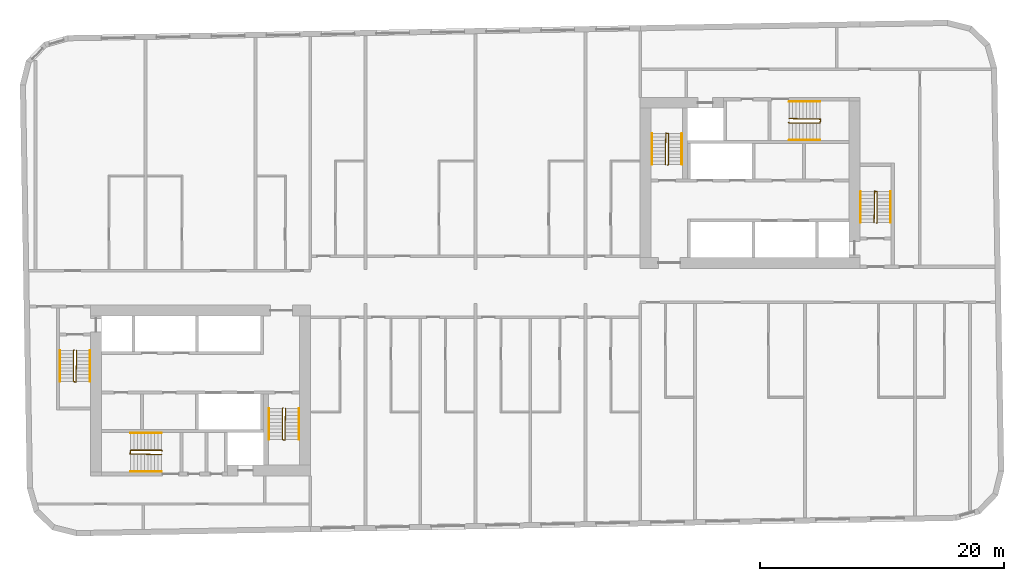
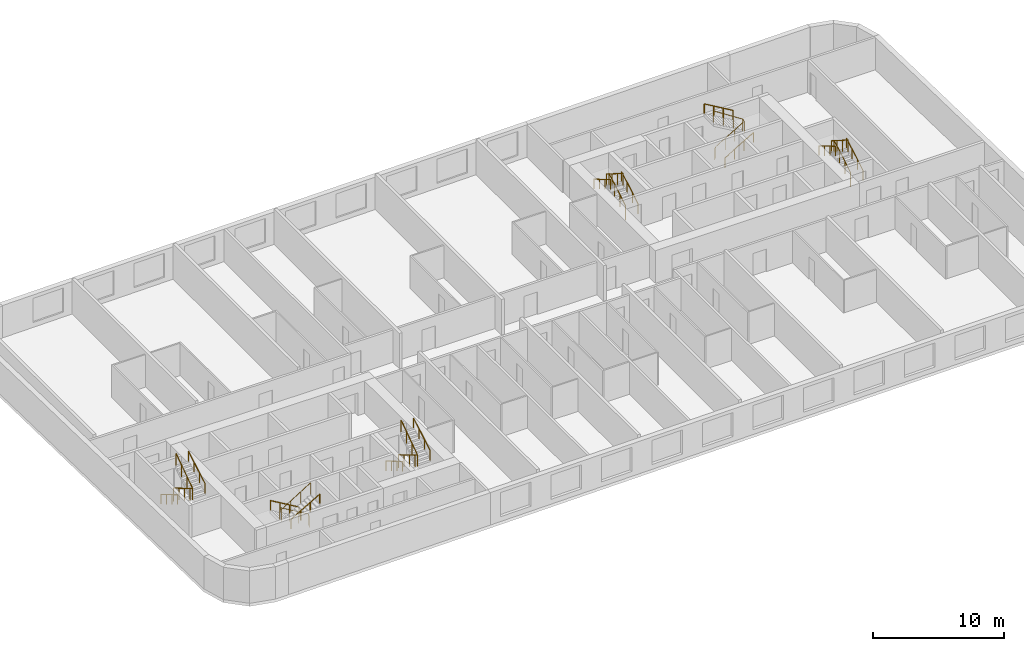
# One storey, part 11 of 11: 18 railings.
"""IFC4 building model written with IfcOpenShell, lengths in metres."""

from ifc_helpers import new_model, si_unit, direction, frame, origin, origin_2d, place, context, subcontext, project, spatial, circle, extrude, material, type_object, element, save


model = new_model("IFC4")

# Units and contexts
model_context = context("Model", 3, precision=1e-05, world=origin(), true_north=direction((0.0, 1.0)))
body_context = subcontext(model_context, "Body", "Model", "MODEL_VIEW")
ifc_project = project(units=[si_unit("LENGTHUNIT", "METRE"), si_unit("AREAUNIT", "SQUARE_METRE"), si_unit("VOLUMEUNIT", "CUBIC_METRE"), si_unit("PLANEANGLEUNIT", "RADIAN"), si_unit("MASSUNIT", "GRAM", prefix="KILO")], contexts=[model_context])

# Site, building, storey
site_placement = place(None, origin())
site = spatial("IfcSite", under=ifc_project, at=site_placement, CompositionType="ELEMENT")
building_placement = place(site_placement, origin())
building = spatial("IfcBuilding", under=site, at=building_placement, Name="Kajstack Hotel Tower", CompositionType="ELEMENT")
storey_placement = place(building_placement, frame((0.0, 0.0, 244.10009765625)))
storey = spatial("IfcBuildingStorey", under=building, at=storey_placement, Name="L60", CompositionType="ELEMENT", Elevation=244.10009765625)

# Railings
ifc_material = material(Name="Steel S355J2", Category="steel")
railing_type_1 = type_object("IfcRailingType", Name="Stair guard 1100", PredefinedType="GUARDRAIL", material=ifc_material)
railing_1_placement = place(storey_placement, frame((-32.85009765625, -5.199951171875, 0.0)))
element("IfcRailing", 1, at=railing_1_placement, inside=storey, type_object=railing_type_1, Name="L60 W1 stair guard 1", PredefinedType="GUARDRAIL", context=body_context, shape_type="SweptSolid", body=[
    extrude(circle(Radius=0.02392578125, at=origin_2d()), frame((0.0, 0.0, 1.076171875), z_axis=(-0.277797701265, -0.279159454702, 0.919183570361), x_axis=(0.708833529934, -0.705375805398, 0.0)), (0.0, 0.0, 1.0), 0.17919921875),
    extrude(circle(Radius=0.02392578125, at=origin_2d()), frame((-0.0498046875, -0.050048828125, 1.24072265625), z_axis=(0.0, -0.86152411907, 0.507716645641), x_axis=(1.0, 0.0, 0.0)), (0.0, 0.0, 1.0), 2.925048828125),
    extrude(circle(Radius=0.02392578125, at=origin_2d()), frame((-0.0498046875, -2.570068359375, 2.72607421875), z_axis=(0.970072785993, -0.242814311512, 0.0), x_axis=(0.242814311512, 0.970072785993, 0.0)), (0.0, 0.0, 1.0), 0.2060546875),
    extrude(circle(Radius=0.02392578125, at=origin_2d()), frame((0.150146484375, -2.6201171875, 2.72607421875), z_axis=(0.016385308676, 0.841405582595, 0.540155687962), x_axis=(-0.999810440751, 0.019470042781, 0.0)), (0.0, 0.0, 1.0), 3.054443359375),
    extrude(circle(Radius=0.02099609375, at=origin_2d()), origin(), (0.0, 0.0, 1.0), 1.052001953125),
    extrude(circle(Radius=0.02099609375, at=origin_2d()), frame((-0.0498046875, -0.050048828125, 0.164794921875)), (0.0, 0.0, 1.0), 1.052001953125),
    extrude(circle(Radius=0.02099609375, at=origin_2d()), frame((-0.0498046875, -0.89013671875, 0.659912109375)), (0.0, 0.0, 1.0), 1.052001953125),
    extrude(circle(Radius=0.02099609375, at=origin_2d()), frame((-0.0498046875, -1.72998046875, 1.15478515625)), (0.0, 0.0, 1.0), 1.052001953125),
    extrude(circle(Radius=0.02099609375, at=origin_2d()), frame((-0.0498046875, -2.570068359375, 1.64990234375)), (0.0, 0.0, 1.0), 1.052001953125),
    extrude(circle(Radius=0.02099609375, at=origin_2d()), frame((0.150146484375, -2.6201171875, 1.64990234375)), (0.0, 0.0, 1.0), 1.052001953125),
    extrude(circle(Radius=0.02099609375, at=origin_2d()), frame((0.166748046875, -1.763427734375, 2.199951171875)), (0.0, 0.0, 1.0), 1.052001953125),
    extrude(circle(Radius=0.02099609375, at=origin_2d()), frame((0.18359375, -0.90673828125, 2.749755859375)), (0.0, 0.0, 1.0), 1.052001953125),
    extrude(circle(Radius=0.02099609375, at=origin_2d()), frame((0.2001953125, -0.050048828125, 3.2998046875)), (0.0, 0.0, 1.0), 1.052001953125),
])
railing_2_placement = place(storey_placement, frame((-15.75, -9.949951171875, 0.0)))
element("IfcRailing", 2, at=railing_2_placement, inside=storey, type_object=railing_type_1, Name="L60 W2 stair guard 1", PredefinedType="GUARDRAIL", context=body_context, shape_type="SweptSolid", body=[
    extrude(circle(Radius=0.02392578125, at=origin_2d()), frame((0.0, 0.0, 1.076171875), z_axis=(-0.279053652268, -0.279053652268, 0.918835196492), x_axis=(0.707106781187, -0.707106781187, 0.0)), (0.0, 0.0, 1.0), 0.179443359375),
    extrude(circle(Radius=0.02392578125, at=origin_2d()), frame((-0.050048828125, -0.050048828125, 1.24072265625), z_axis=(0.0, -0.86152411907, 0.507716645641), x_axis=(1.0, 0.0, 0.0)), (0.0, 0.0, 1.0), 2.925048828125),
    extrude(circle(Radius=0.02392578125, at=origin_2d()), frame((-0.050048828125, -2.570068359375, 2.72607421875), z_axis=(0.970072785993, -0.242814311512, 0.0), x_axis=(0.242814311512, 0.970072785993, 0.0)), (0.0, 0.0, 1.0), 0.2060546875),
    extrude(circle(Radius=0.02392578125, at=origin_2d()), frame((0.14990234375, -2.6201171875, 2.72607421875), z_axis=(0.016385308676, 0.841405582595, 0.540155687962), x_axis=(-0.999810440751, 0.019470042781, 0.0)), (0.0, 0.0, 1.0), 3.054443359375),
    extrude(circle(Radius=0.02099609375, at=origin_2d()), origin(), (0.0, 0.0, 1.0), 1.052001953125),
    extrude(circle(Radius=0.02099609375, at=origin_2d()), frame((-0.050048828125, -0.050048828125, 0.164794921875)), (0.0, 0.0, 1.0), 1.052001953125),
    extrude(circle(Radius=0.02099609375, at=origin_2d()), frame((-0.050048828125, -0.89013671875, 0.659912109375)), (0.0, 0.0, 1.0), 1.052001953125),
    extrude(circle(Radius=0.02099609375, at=origin_2d()), frame((-0.050048828125, -1.72998046875, 1.15478515625)), (0.0, 0.0, 1.0), 1.052001953125),
    extrude(circle(Radius=0.02099609375, at=origin_2d()), frame((-0.050048828125, -2.570068359375, 1.64990234375)), (0.0, 0.0, 1.0), 1.052001953125),
    extrude(circle(Radius=0.02099609375, at=origin_2d()), frame((0.14990234375, -2.6201171875, 1.64990234375)), (0.0, 0.0, 1.0), 1.052001953125),
    extrude(circle(Radius=0.02099609375, at=origin_2d()), frame((0.16650390625, -1.763427734375, 2.199951171875)), (0.0, 0.0, 1.0), 1.052001953125),
    extrude(circle(Radius=0.02099609375, at=origin_2d()), frame((0.183349609375, -0.90673828125, 2.749755859375)), (0.0, 0.0, 1.0), 1.052001953125),
    extrude(circle(Radius=0.02099609375, at=origin_2d()), frame((0.199951171875, -0.050048828125, 3.2998046875)), (0.0, 0.0, 1.0), 1.052001953125),
])
railing_3_placement = place(storey_placement, frame((-25.64990234375, -13.449951171875, 0.0)))
element("IfcRailing", 3, at=railing_3_placement, inside=storey, type_object=railing_type_1, Name="L60 W3 stair guard 1", PredefinedType="GUARDRAIL", context=body_context, shape_type="SweptSolid", body=[
    extrude(circle(Radius=0.02392578125, at=origin_2d()), frame((0.0, 0.0, 1.076171875), z_axis=(-0.279053652268, 0.279053652268, 0.918835196492), x_axis=(-0.707106781187, -0.707106781187, 0.0)), (0.0, 0.0, 1.0), 0.179443359375),
    extrude(circle(Radius=0.02392578125, at=origin_2d()), frame((-0.050048828125, 0.050048828125, 1.24072265625), z_axis=(-0.86152411907, 0.0, 0.507716645641), x_axis=(0.0, -1.0, 0.0)), (0.0, 0.0, 1.0), 2.925048828125),
    extrude(circle(Radius=0.02392578125, at=origin_2d()), frame((-2.570068359375, 0.050048828125, 2.72607421875), z_axis=(-0.164529134168, -0.986372223864, 0.0), x_axis=(0.986372223864, -0.164529134168, 0.0)), (0.0, 0.0, 1.0), 0.30419921875),
    extrude(circle(Radius=0.02392578125, at=origin_2d()), frame((-2.6201171875, -0.25, 2.72607421875), z_axis=(0.841405582595, -0.016385308676, 0.540155687962), x_axis=(0.019470042781, 0.999810440751, 0.0)), (0.0, 0.0, 1.0), 3.054443359375),
    extrude(circle(Radius=0.02099609375, at=origin_2d()), origin(), (0.0, 0.0, 1.0), 1.052001953125),
    extrude(circle(Radius=0.02099609375, at=origin_2d()), frame((-0.050048828125, 0.050048828125, 0.164794921875)), (0.0, 0.0, 1.0), 1.052001953125),
    extrude(circle(Radius=0.02099609375, at=origin_2d()), frame((-0.89013671875, 0.050048828125, 0.659912109375)), (0.0, 0.0, 1.0), 1.052001953125),
    extrude(circle(Radius=0.02099609375, at=origin_2d()), frame((-1.72998046875, 0.050048828125, 1.15478515625)), (0.0, 0.0, 1.0), 1.052001953125),
    extrude(circle(Radius=0.02099609375, at=origin_2d()), frame((-2.570068359375, 0.050048828125, 1.64990234375)), (0.0, 0.0, 1.0), 1.052001953125),
    extrude(circle(Radius=0.02099609375, at=origin_2d()), frame((-2.6201171875, -0.25, 1.64990234375)), (0.0, 0.0, 1.0), 1.052001953125),
    extrude(circle(Radius=0.02099609375, at=origin_2d()), frame((-1.763427734375, -0.2666015625, 2.199951171875)), (0.0, 0.0, 1.0), 1.052001953125),
    extrude(circle(Radius=0.02099609375, at=origin_2d()), frame((-0.90673828125, -0.283447265625, 2.749755859375)), (0.0, 0.0, 1.0), 1.052001953125),
    extrude(circle(Radius=0.02099609375, at=origin_2d()), frame((-0.050048828125, -0.300048828125, 3.2998046875)), (0.0, 0.0, 1.0), 1.052001953125),
])
railing_4_placement = place(storey_placement, frame((32.85009765625, 5.199951171875, 0.0)))
element("IfcRailing", 4, at=railing_4_placement, inside=storey, type_object=railing_type_1, Name="L60 E1 stair guard 1", PredefinedType="GUARDRAIL", context=body_context, shape_type="SweptSolid", body=[
    extrude(circle(Radius=0.02392578125, at=origin_2d()), frame((0.0, 0.0, 1.076171875), z_axis=(0.277797701265, 0.279159454702, 0.919183570361), x_axis=(-0.708833529934, 0.705375805398, 0.0)), (0.0, 0.0, 1.0), 0.17919921875),
    extrude(circle(Radius=0.02392578125, at=origin_2d()), frame((0.0498046875, 0.050048828125, 1.24072265625), z_axis=(0.0, 0.86152411907, 0.507716645641), x_axis=(-1.0, 0.0, 0.0)), (0.0, 0.0, 1.0), 2.925048828125),
    extrude(circle(Radius=0.02392578125, at=origin_2d()), frame((0.0498046875, 2.570068359375, 2.72607421875), z_axis=(-0.970072785993, 0.242814311512, 0.0), x_axis=(-0.242814311512, -0.970072785993, 0.0)), (0.0, 0.0, 1.0), 0.2060546875),
    extrude(circle(Radius=0.02392578125, at=origin_2d()), frame((-0.150146484375, 2.6201171875, 2.72607421875), z_axis=(-0.016385308676, -0.841405582595, 0.540155687962), x_axis=(0.999810440751, -0.019470042781, 0.0)), (0.0, 0.0, 1.0), 3.054443359375),
    extrude(circle(Radius=0.02099609375, at=origin_2d()), origin(), (0.0, 0.0, 1.0), 1.052001953125),
    extrude(circle(Radius=0.02099609375, at=origin_2d()), frame((0.0498046875, 0.050048828125, 0.164794921875)), (0.0, 0.0, 1.0), 1.052001953125),
    extrude(circle(Radius=0.02099609375, at=origin_2d()), frame((0.0498046875, 0.89013671875, 0.659912109375)), (0.0, 0.0, 1.0), 1.052001953125),
    extrude(circle(Radius=0.02099609375, at=origin_2d()), frame((0.0498046875, 1.72998046875, 1.15478515625)), (0.0, 0.0, 1.0), 1.052001953125),
    extrude(circle(Radius=0.02099609375, at=origin_2d()), frame((0.0498046875, 2.570068359375, 1.64990234375)), (0.0, 0.0, 1.0), 1.052001953125),
    extrude(circle(Radius=0.02099609375, at=origin_2d()), frame((-0.150146484375, 2.6201171875, 1.64990234375)), (0.0, 0.0, 1.0), 1.052001953125),
    extrude(circle(Radius=0.02099609375, at=origin_2d()), frame((-0.166748046875, 1.763427734375, 2.199951171875)), (0.0, 0.0, 1.0), 1.052001953125),
    extrude(circle(Radius=0.02099609375, at=origin_2d()), frame((-0.18359375, 0.90673828125, 2.749755859375)), (0.0, 0.0, 1.0), 1.052001953125),
    extrude(circle(Radius=0.02099609375, at=origin_2d()), frame((-0.2001953125, 0.050048828125, 3.2998046875)), (0.0, 0.0, 1.0), 1.052001953125),
])
railing_5_placement = place(storey_placement, frame((15.75, 9.949951171875, 0.0)))
element("IfcRailing", 5, at=railing_5_placement, inside=storey, type_object=railing_type_1, Name="L60 E2 stair guard 1", PredefinedType="GUARDRAIL", context=body_context, shape_type="SweptSolid", body=[
    extrude(circle(Radius=0.02392578125, at=origin_2d()), frame((0.0, 0.0, 1.076171875), z_axis=(0.279053652268, 0.279053652268, 0.918835196492), x_axis=(-0.707106781187, 0.707106781187, 0.0)), (0.0, 0.0, 1.0), 0.179443359375),
    extrude(circle(Radius=0.02392578125, at=origin_2d()), frame((0.050048828125, 0.050048828125, 1.24072265625), z_axis=(0.0, 0.86152411907, 0.507716645641), x_axis=(-1.0, 0.0, 0.0)), (0.0, 0.0, 1.0), 2.925048828125),
    extrude(circle(Radius=0.02392578125, at=origin_2d()), frame((0.050048828125, 2.570068359375, 2.72607421875), z_axis=(-0.970072785993, 0.242814311512, 0.0), x_axis=(-0.242814311512, -0.970072785993, 0.0)), (0.0, 0.0, 1.0), 0.2060546875),
    extrude(circle(Radius=0.02392578125, at=origin_2d()), frame((-0.14990234375, 2.6201171875, 2.72607421875), z_axis=(-0.016385308676, -0.841405582595, 0.540155687962), x_axis=(0.999810440751, -0.019470042781, 0.0)), (0.0, 0.0, 1.0), 3.054443359375),
    extrude(circle(Radius=0.02099609375, at=origin_2d()), origin(), (0.0, 0.0, 1.0), 1.052001953125),
    extrude(circle(Radius=0.02099609375, at=origin_2d()), frame((0.050048828125, 0.050048828125, 0.164794921875)), (0.0, 0.0, 1.0), 1.052001953125),
    extrude(circle(Radius=0.02099609375, at=origin_2d()), frame((0.050048828125, 0.89013671875, 0.659912109375)), (0.0, 0.0, 1.0), 1.052001953125),
    extrude(circle(Radius=0.02099609375, at=origin_2d()), frame((0.050048828125, 1.72998046875, 1.15478515625)), (0.0, 0.0, 1.0), 1.052001953125),
    extrude(circle(Radius=0.02099609375, at=origin_2d()), frame((0.050048828125, 2.570068359375, 1.64990234375)), (0.0, 0.0, 1.0), 1.052001953125),
    extrude(circle(Radius=0.02099609375, at=origin_2d()), frame((-0.14990234375, 2.6201171875, 1.64990234375)), (0.0, 0.0, 1.0), 1.052001953125),
    extrude(circle(Radius=0.02099609375, at=origin_2d()), frame((-0.16650390625, 1.763427734375, 2.199951171875)), (0.0, 0.0, 1.0), 1.052001953125),
    extrude(circle(Radius=0.02099609375, at=origin_2d()), frame((-0.183349609375, 0.90673828125, 2.749755859375)), (0.0, 0.0, 1.0), 1.052001953125),
    extrude(circle(Radius=0.02099609375, at=origin_2d()), frame((-0.199951171875, 0.050048828125, 3.2998046875)), (0.0, 0.0, 1.0), 1.052001953125),
])
railing_6_placement = place(storey_placement, frame((25.64990234375, 13.449951171875, 0.0)))
element("IfcRailing", 6, at=railing_6_placement, inside=storey, type_object=railing_type_1, Name="L60 E3 stair guard 1", PredefinedType="GUARDRAIL", context=body_context, shape_type="SweptSolid", body=[
    extrude(circle(Radius=0.02392578125, at=origin_2d()), frame((0.0, 0.0, 1.076171875), z_axis=(0.279053652268, -0.279053652268, 0.918835196492), x_axis=(0.707106781187, 0.707106781187, 0.0)), (0.0, 0.0, 1.0), 0.179443359375),
    extrude(circle(Radius=0.02392578125, at=origin_2d()), frame((0.050048828125, -0.050048828125, 1.24072265625), z_axis=(0.86152411907, 0.0, 0.507716645641), x_axis=(0.0, 1.0, 0.0)), (0.0, 0.0, 1.0), 2.925048828125),
    extrude(circle(Radius=0.02392578125, at=origin_2d()), frame((2.570068359375, -0.050048828125, 2.72607421875), z_axis=(0.164529134168, 0.986372223864, 0.0), x_axis=(-0.986372223864, 0.164529134168, 0.0)), (0.0, 0.0, 1.0), 0.30419921875),
    extrude(circle(Radius=0.02392578125, at=origin_2d()), frame((2.6201171875, 0.25, 2.72607421875), z_axis=(-0.841405582595, 0.016385308676, 0.540155687962), x_axis=(-0.019470042781, -0.999810440751, 0.0)), (0.0, 0.0, 1.0), 3.054443359375),
    extrude(circle(Radius=0.02099609375, at=origin_2d()), origin(), (0.0, 0.0, 1.0), 1.052001953125),
    extrude(circle(Radius=0.02099609375, at=origin_2d()), frame((0.050048828125, -0.050048828125, 0.164794921875)), (0.0, 0.0, 1.0), 1.052001953125),
    extrude(circle(Radius=0.02099609375, at=origin_2d()), frame((0.89013671875, -0.050048828125, 0.659912109375)), (0.0, 0.0, 1.0), 1.052001953125),
    extrude(circle(Radius=0.02099609375, at=origin_2d()), frame((1.72998046875, -0.050048828125, 1.15478515625)), (0.0, 0.0, 1.0), 1.052001953125),
    extrude(circle(Radius=0.02099609375, at=origin_2d()), frame((2.570068359375, -0.050048828125, 1.64990234375)), (0.0, 0.0, 1.0), 1.052001953125),
    extrude(circle(Radius=0.02099609375, at=origin_2d()), frame((2.6201171875, 0.25, 1.64990234375)), (0.0, 0.0, 1.0), 1.052001953125),
    extrude(circle(Radius=0.02099609375, at=origin_2d()), frame((1.763427734375, 0.2666015625, 2.199951171875)), (0.0, 0.0, 1.0), 1.052001953125),
    extrude(circle(Radius=0.02099609375, at=origin_2d()), frame((0.90673828125, 0.283447265625, 2.749755859375)), (0.0, 0.0, 1.0), 1.052001953125),
    extrude(circle(Radius=0.02099609375, at=origin_2d()), frame((0.050048828125, 0.300048828125, 3.2998046875)), (0.0, 0.0, 1.0), 1.052001953125),
])
railing_type_2 = type_object("IfcRailingType", Name="Stair handrail 900", PredefinedType="HANDRAIL", material=ifc_material)
railing_7_placement = place(storey_placement, frame((-34.0, -5.25, 0.164794921875)))
element("IfcRailing", 7, at=railing_7_placement, inside=storey, type_object=railing_type_2, Name="L60 W1 stair handrail 1", PredefinedType="HANDRAIL", context=body_context, shape_type="SweptSolid", body=[
    extrude(circle(Radius=0.02392578125, at=origin_2d()), frame((0.0, 0.0, 0.8759765625), z_axis=(0.0, -0.86152411907, 0.507716645641), x_axis=(1.0, 0.0, 0.0)), (0.0, 0.0, 1.0), 2.925048828125),
    extrude(circle(Radius=0.02099609375, at=origin_2d()), origin(), (0.0, 0.0, 1.0), 0.851806640625),
    extrude(circle(Radius=0.02099609375, at=origin_2d()), frame((0.0, -0.840087890625, 0.4951171875)), (0.0, 0.0, 1.0), 0.851806640625),
    extrude(circle(Radius=0.02099609375, at=origin_2d()), frame((0.0, -1.679931640625, 0.989990234375)), (0.0, 0.0, 1.0), 0.851806640625),
    extrude(circle(Radius=0.02099609375, at=origin_2d()), frame((0.0, -2.52001953125, 1.485107421875)), (0.0, 0.0, 1.0), 0.851806640625),
])
railing_8_placement = place(storey_placement, frame((-31.550048828125, -7.77001953125, 1.81494140625)))
element("IfcRailing", 8, at=railing_8_placement, inside=storey, type_object=railing_type_2, Name="L60 W1 stair handrail 2", PredefinedType="HANDRAIL", context=body_context, shape_type="SweptSolid", body=[
    extrude(circle(Radius=0.02392578125, at=origin_2d()), frame((0.0, 0.0, 0.8759765625), z_axis=(0.0, 0.861560626758, 0.507654692109), x_axis=(-1.0, 0.0, 0.0)), (0.0, 0.0, 1.0), 2.925048828125),
    extrude(circle(Radius=0.02099609375, at=origin_2d()), origin(), (0.0, 0.0, 1.0), 0.851806640625),
    extrude(circle(Radius=0.02099609375, at=origin_2d()), frame((0.0, 0.840087890625, 0.494873046875)), (0.0, 0.0, 1.0), 0.851806640625),
    extrude(circle(Radius=0.02099609375, at=origin_2d()), frame((0.0, 1.679931640625, 0.989990234375)), (0.0, 0.0, 1.0), 0.851806640625),
    extrude(circle(Radius=0.02099609375, at=origin_2d()), frame((0.0, 2.52001953125, 1.48486328125)), (0.0, 0.0, 1.0), 0.851806640625),
])
railing_9_placement = place(storey_placement, frame((-16.89990234375, -10.0, 0.164794921875)))
element("IfcRailing", 9, at=railing_9_placement, inside=storey, type_object=railing_type_2, Name="L60 W2 stair handrail 1", PredefinedType="HANDRAIL", context=body_context, shape_type="SweptSolid", body=[
    extrude(circle(Radius=0.02392578125, at=origin_2d()), frame((0.0, 0.0, 0.8759765625), z_axis=(0.0, -0.86152411907, 0.507716645641), x_axis=(1.0, 0.0, 0.0)), (0.0, 0.0, 1.0), 2.925048828125),
    extrude(circle(Radius=0.02099609375, at=origin_2d()), origin(), (0.0, 0.0, 1.0), 0.851806640625),
    extrude(circle(Radius=0.02099609375, at=origin_2d()), frame((0.0, -0.840087890625, 0.4951171875)), (0.0, 0.0, 1.0), 0.851806640625),
    extrude(circle(Radius=0.02099609375, at=origin_2d()), frame((0.0, -1.679931640625, 0.989990234375)), (0.0, 0.0, 1.0), 0.851806640625),
    extrude(circle(Radius=0.02099609375, at=origin_2d()), frame((0.0, -2.52001953125, 1.485107421875)), (0.0, 0.0, 1.0), 0.851806640625),
])
railing_10_placement = place(storey_placement, frame((-14.449951171875, -12.52001953125, 1.81494140625)))
element("IfcRailing", 10, at=railing_10_placement, inside=storey, type_object=railing_type_2, Name="L60 W2 stair handrail 2", PredefinedType="HANDRAIL", context=body_context, shape_type="SweptSolid", body=[
    extrude(circle(Radius=0.02392578125, at=origin_2d()), frame((0.0, 0.0, 0.8759765625), z_axis=(0.0, 0.861560626758, 0.507654692109), x_axis=(-1.0, 0.0, 0.0)), (0.0, 0.0, 1.0), 2.925048828125),
    extrude(circle(Radius=0.02099609375, at=origin_2d()), origin(), (0.0, 0.0, 1.0), 0.851806640625),
    extrude(circle(Radius=0.02099609375, at=origin_2d()), frame((0.0, 0.840087890625, 0.494873046875)), (0.0, 0.0, 1.0), 0.851806640625),
    extrude(circle(Radius=0.02099609375, at=origin_2d()), frame((0.0, 1.679931640625, 0.989990234375)), (0.0, 0.0, 1.0), 0.851806640625),
    extrude(circle(Radius=0.02099609375, at=origin_2d()), frame((0.0, 2.52001953125, 1.48486328125)), (0.0, 0.0, 1.0), 0.851806640625),
])
railing_11_placement = place(storey_placement, frame((-25.699951171875, -12.0, 0.164794921875)))
element("IfcRailing", 11, at=railing_11_placement, inside=storey, type_object=railing_type_2, Name="L60 W3 stair handrail 1", PredefinedType="HANDRAIL", context=body_context, shape_type="SweptSolid", body=[
    extrude(circle(Radius=0.02392578125, at=origin_2d()), frame((0.0, 0.0, 0.8759765625), z_axis=(-0.86152411907, 0.0, 0.507716645641), x_axis=(0.0, -1.0, 0.0)), (0.0, 0.0, 1.0), 2.925048828125),
    extrude(circle(Radius=0.02099609375, at=origin_2d()), origin(), (0.0, 0.0, 1.0), 0.851806640625),
    extrude(circle(Radius=0.02099609375, at=origin_2d()), frame((-0.840087890625, 0.0, 0.4951171875)), (0.0, 0.0, 1.0), 0.851806640625),
    extrude(circle(Radius=0.02099609375, at=origin_2d()), frame((-1.679931640625, 0.0, 0.989990234375)), (0.0, 0.0, 1.0), 0.851806640625),
    extrude(circle(Radius=0.02099609375, at=origin_2d()), frame((-2.52001953125, 0.0, 1.485107421875)), (0.0, 0.0, 1.0), 0.851806640625),
])
railing_12_placement = place(storey_placement, frame((-28.219970703125, -15.14990234375, 1.81494140625)))
element("IfcRailing", 12, at=railing_12_placement, inside=storey, type_object=railing_type_2, Name="L60 W3 stair handrail 2", PredefinedType="HANDRAIL", context=body_context, shape_type="SweptSolid", body=[
    extrude(circle(Radius=0.02392578125, at=origin_2d()), frame((0.0, 0.0, 0.8759765625), z_axis=(0.861560626758, 0.0, 0.507654692109), x_axis=(0.0, 1.0, 0.0)), (0.0, 0.0, 1.0), 2.925048828125),
    extrude(circle(Radius=0.02099609375, at=origin_2d()), origin(), (0.0, 0.0, 1.0), 0.851806640625),
    extrude(circle(Radius=0.02099609375, at=origin_2d()), frame((0.840087890625, 0.0, 0.494873046875)), (0.0, 0.0, 1.0), 0.851806640625),
    extrude(circle(Radius=0.02099609375, at=origin_2d()), frame((1.679931640625, 0.0, 0.989990234375)), (0.0, 0.0, 1.0), 0.851806640625),
    extrude(circle(Radius=0.02099609375, at=origin_2d()), frame((2.52001953125, 0.0, 1.48486328125)), (0.0, 0.0, 1.0), 0.851806640625),
])
railing_13_placement = place(storey_placement, frame((34.0, 5.25, 0.164794921875)))
element("IfcRailing", 13, at=railing_13_placement, inside=storey, type_object=railing_type_2, Name="L60 E1 stair handrail 1", PredefinedType="HANDRAIL", context=body_context, shape_type="SweptSolid", body=[
    extrude(circle(Radius=0.02392578125, at=origin_2d()), frame((0.0, 0.0, 0.8759765625), z_axis=(0.0, 0.86152411907, 0.507716645641), x_axis=(-1.0, 0.0, 0.0)), (0.0, 0.0, 1.0), 2.925048828125),
    extrude(circle(Radius=0.02099609375, at=origin_2d()), origin(), (0.0, 0.0, 1.0), 0.851806640625),
    extrude(circle(Radius=0.02099609375, at=origin_2d()), frame((0.0, 0.840087890625, 0.4951171875)), (0.0, 0.0, 1.0), 0.851806640625),
    extrude(circle(Radius=0.02099609375, at=origin_2d()), frame((0.0, 1.679931640625, 0.989990234375)), (0.0, 0.0, 1.0), 0.851806640625),
    extrude(circle(Radius=0.02099609375, at=origin_2d()), frame((0.0, 2.52001953125, 1.485107421875)), (0.0, 0.0, 1.0), 0.851806640625),
])
railing_14_placement = place(storey_placement, frame((31.550048828125, 7.77001953125, 1.81494140625)))
element("IfcRailing", 14, at=railing_14_placement, inside=storey, type_object=railing_type_2, Name="L60 E1 stair handrail 2", PredefinedType="HANDRAIL", context=body_context, shape_type="SweptSolid", body=[
    extrude(circle(Radius=0.02392578125, at=origin_2d()), frame((0.0, 0.0, 0.8759765625), z_axis=(0.0, -0.861560626758, 0.507654692109), x_axis=(1.0, 0.0, 0.0)), (0.0, 0.0, 1.0), 2.925048828125),
    extrude(circle(Radius=0.02099609375, at=origin_2d()), origin(), (0.0, 0.0, 1.0), 0.851806640625),
    extrude(circle(Radius=0.02099609375, at=origin_2d()), frame((0.0, -0.840087890625, 0.494873046875)), (0.0, 0.0, 1.0), 0.851806640625),
    extrude(circle(Radius=0.02099609375, at=origin_2d()), frame((0.0, -1.679931640625, 0.989990234375)), (0.0, 0.0, 1.0), 0.851806640625),
    extrude(circle(Radius=0.02099609375, at=origin_2d()), frame((0.0, -2.52001953125, 1.48486328125)), (0.0, 0.0, 1.0), 0.851806640625),
])
railing_15_placement = place(storey_placement, frame((16.89990234375, 10.0, 0.164794921875)))
element("IfcRailing", 15, at=railing_15_placement, inside=storey, type_object=railing_type_2, Name="L60 E2 stair handrail 1", PredefinedType="HANDRAIL", context=body_context, shape_type="SweptSolid", body=[
    extrude(circle(Radius=0.02392578125, at=origin_2d()), frame((0.0, 0.0, 0.8759765625), z_axis=(0.0, 0.86152411907, 0.507716645641), x_axis=(-1.0, 0.0, 0.0)), (0.0, 0.0, 1.0), 2.925048828125),
    extrude(circle(Radius=0.02099609375, at=origin_2d()), origin(), (0.0, 0.0, 1.0), 0.851806640625),
    extrude(circle(Radius=0.02099609375, at=origin_2d()), frame((0.0, 0.840087890625, 0.4951171875)), (0.0, 0.0, 1.0), 0.851806640625),
    extrude(circle(Radius=0.02099609375, at=origin_2d()), frame((0.0, 1.679931640625, 0.989990234375)), (0.0, 0.0, 1.0), 0.851806640625),
    extrude(circle(Radius=0.02099609375, at=origin_2d()), frame((0.0, 2.52001953125, 1.485107421875)), (0.0, 0.0, 1.0), 0.851806640625),
])
railing_16_placement = place(storey_placement, frame((14.449951171875, 12.52001953125, 1.81494140625)))
element("IfcRailing", 16, at=railing_16_placement, inside=storey, type_object=railing_type_2, Name="L60 E2 stair handrail 2", PredefinedType="HANDRAIL", context=body_context, shape_type="SweptSolid", body=[
    extrude(circle(Radius=0.02392578125, at=origin_2d()), frame((0.0, 0.0, 0.8759765625), z_axis=(0.0, -0.861560626758, 0.507654692109), x_axis=(1.0, 0.0, 0.0)), (0.0, 0.0, 1.0), 2.925048828125),
    extrude(circle(Radius=0.02099609375, at=origin_2d()), origin(), (0.0, 0.0, 1.0), 0.851806640625),
    extrude(circle(Radius=0.02099609375, at=origin_2d()), frame((0.0, -0.840087890625, 0.494873046875)), (0.0, 0.0, 1.0), 0.851806640625),
    extrude(circle(Radius=0.02099609375, at=origin_2d()), frame((0.0, -1.679931640625, 0.989990234375)), (0.0, 0.0, 1.0), 0.851806640625),
    extrude(circle(Radius=0.02099609375, at=origin_2d()), frame((0.0, -2.52001953125, 1.48486328125)), (0.0, 0.0, 1.0), 0.851806640625),
])
railing_17_placement = place(storey_placement, frame((25.699951171875, 12.0, 0.164794921875)))
element("IfcRailing", 17, at=railing_17_placement, inside=storey, type_object=railing_type_2, Name="L60 E3 stair handrail 1", PredefinedType="HANDRAIL", context=body_context, shape_type="SweptSolid", body=[
    extrude(circle(Radius=0.02392578125, at=origin_2d()), frame((0.0, 0.0, 0.8759765625), z_axis=(0.86152411907, 0.0, 0.507716645641), x_axis=(0.0, 1.0, 0.0)), (0.0, 0.0, 1.0), 2.925048828125),
    extrude(circle(Radius=0.02099609375, at=origin_2d()), origin(), (0.0, 0.0, 1.0), 0.851806640625),
    extrude(circle(Radius=0.02099609375, at=origin_2d()), frame((0.840087890625, 0.0, 0.4951171875)), (0.0, 0.0, 1.0), 0.851806640625),
    extrude(circle(Radius=0.02099609375, at=origin_2d()), frame((1.679931640625, 0.0, 0.989990234375)), (0.0, 0.0, 1.0), 0.851806640625),
    extrude(circle(Radius=0.02099609375, at=origin_2d()), frame((2.52001953125, 0.0, 1.485107421875)), (0.0, 0.0, 1.0), 0.851806640625),
])
railing_18_placement = place(storey_placement, frame((28.219970703125, 15.14990234375, 1.81494140625)))
element("IfcRailing", 18, at=railing_18_placement, inside=storey, type_object=railing_type_2, Name="L60 E3 stair handrail 2", PredefinedType="HANDRAIL", context=body_context, shape_type="SweptSolid", body=[
    extrude(circle(Radius=0.02392578125, at=origin_2d()), frame((0.0, 0.0, 0.8759765625), z_axis=(-0.861560626758, 0.0, 0.507654692109), x_axis=(0.0, -1.0, 0.0)), (0.0, 0.0, 1.0), 2.925048828125),
    extrude(circle(Radius=0.02099609375, at=origin_2d()), origin(), (0.0, 0.0, 1.0), 0.851806640625),
    extrude(circle(Radius=0.02099609375, at=origin_2d()), frame((-0.840087890625, 0.0, 0.494873046875)), (0.0, 0.0, 1.0), 0.851806640625),
    extrude(circle(Radius=0.02099609375, at=origin_2d()), frame((-1.679931640625, 0.0, 0.989990234375)), (0.0, 0.0, 1.0), 0.851806640625),
    extrude(circle(Radius=0.02099609375, at=origin_2d()), frame((-2.52001953125, 0.0, 1.48486328125)), (0.0, 0.0, 1.0), 0.851806640625),
])

save(model, "model.ifc")
